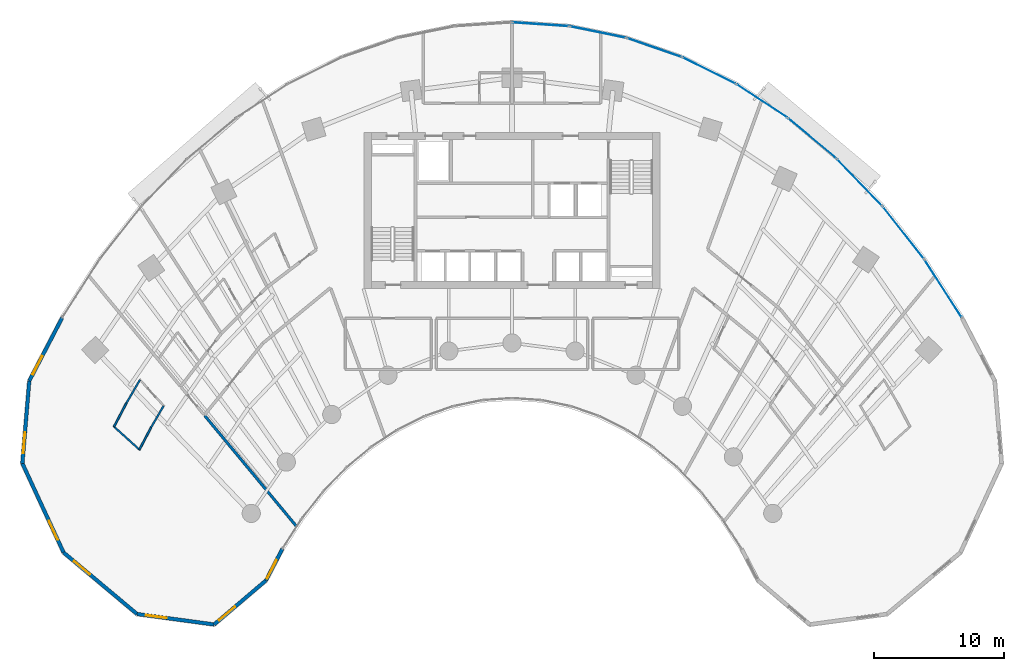
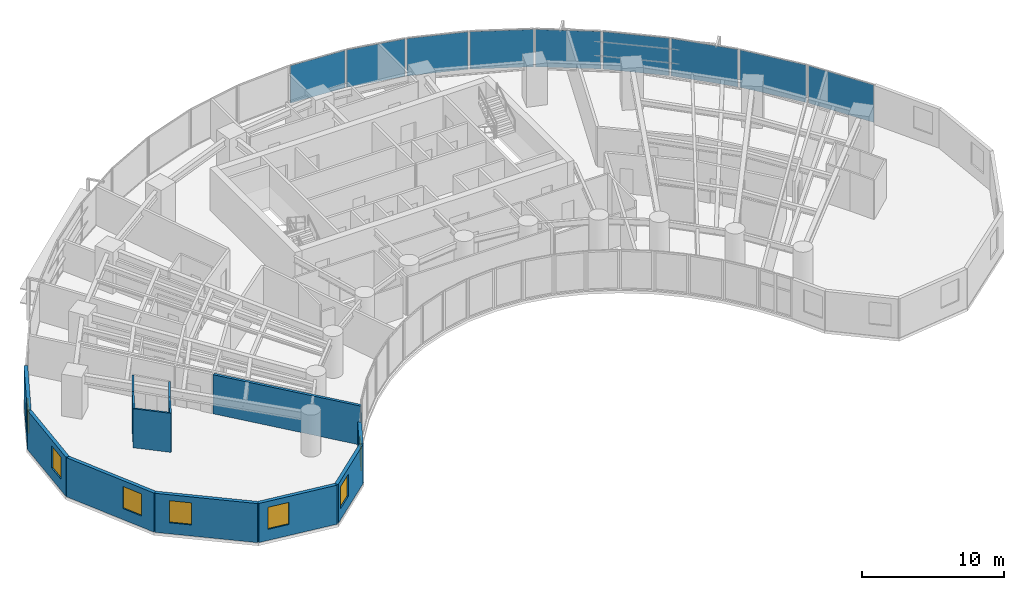
# One storey, part 10 of 17: 13 walls, 9 plates, 7 windows, 7 openings, 9 elements without a shape of their own.
"""IFC4 building model written with IfcOpenShell, lengths in metres."""

from ifc_helpers import new_model, si_unit, direction, frame, frame_2d, origin, origin_2d, place, context, subcontext, project, spatial, rectangle, extrude, source, transform, mapped, material, layer, layer_set, type_object, type_shapes, element, fill, aggregate, save


model = new_model("IFC4")

# Units and contexts
model_context = context("Model", 3, precision=1e-05, world=origin(), true_north=direction((0.0, 1.0)))
body_context = subcontext(model_context, "Body", "Model", "MODEL_VIEW")
ifc_project = project(units=[si_unit("LENGTHUNIT", "METRE"), si_unit("AREAUNIT", "SQUARE_METRE"), si_unit("VOLUMEUNIT", "CUBIC_METRE"), si_unit("PLANEANGLEUNIT", "RADIAN"), si_unit("MASSUNIT", "GRAM", prefix="KILO")], contexts=[model_context])

# Site, building, storey
site_placement = place(None, origin())
site = spatial("IfcSite", under=ifc_project, at=site_placement, CompositionType="ELEMENT")
building_placement = place(site_placement, origin())
building = spatial("IfcBuilding", under=site, at=building_placement, Name="Breltana Convention Tower", CompositionType="ELEMENT")
storey_placement = place(building_placement, frame((0.0, 0.0, 67.800048828125)))
storey = spatial("IfcBuildingStorey", under=building, at=storey_placement, Name="L15", CompositionType="ELEMENT", Elevation=67.800048828125)

# Curtain wall, plate
ifc_material_1 = material(Name="Aluminium Anodised Bronze Frame", Category="aluminium")
ifc_layer_1 = layer(ifc_material_1, 0.199951171875, Name="Aluminium Anodised Bronze Frame")
ifc_layer_set_1 = layer_set([ifc_layer_1], Name="Aluminium Anodised Bronze Frame")
curtain_wall_type = type_object("IfcCurtainWallType", Name="CW-SYS-2", PredefinedType="NOTDEFINED", material=ifc_layer_set_1)
curtain_wall_1_placement = place(storey_placement, origin())
curtain_wall_1 = element("IfcCurtainWall", 1, at=curtain_wall_1_placement, inside=storey, type_object=curtain_wall_type, Name="L15 outer double-skin inner glazing 17", PredefinedType="NOTDEFINED")
ifc_material_2 = material(Name="Glass Low-E Double Glazing", Category="glass")
ifc_layer_2 = layer(ifc_material_2, 0.031982421875, Name="Glass Low-E Double Glazing")
ifc_layer_set_2 = layer_set([ifc_layer_2], Name="Glass Low-E Double Glazing")
plate_type = type_object("IfcPlateType", Name="CWP-IGU-32", PredefinedType="CURTAIN_PANEL", material=ifc_layer_set_2)
shared_shape_1 = source(origin(), body_context, "Body", "SweptSolid", [
    extrude(rectangle(XDim=5.0546875, YDim=0.031982421875, at=origin_2d()), origin(), (0.0, 0.0, 1.0), 3.219970703125),
])
plate_1_placement = place(storey_placement, frame((78.038818359375, 64.504638671875, 0.06982421875), z_axis=(0.0, 0.0, 1.0), x_axis=(0.618153917633, -0.786057080698, 0.0)))
plate_1 = element("IfcPlate", 2, at=plate_1_placement, type_object=plate_type, Name="CW-02 panel 1.1", PredefinedType="CURTAIN_PANEL", context=body_context, shape_type="MappedRepresentation", body=[
    mapped(shared_shape_1, transform((0.0, 0.0, 0.0), scale=1.0)),
])
aggregate(curtain_wall_1, [plate_1])

curtain_wall_2_placement = place(storey_placement, origin())
curtain_wall_2 = element("IfcCurtainWall", 3, at=curtain_wall_2_placement, inside=storey, type_object=curtain_wall_type, Name="L15 outer double-skin inner glazing 16", PredefinedType="NOTDEFINED")
shared_shape_2 = source(origin(), body_context, "Body", "SweptSolid", [
    extrude(rectangle(XDim=4.901123046875, YDim=0.031982421875, at=origin_2d()), origin(), (0.0, 0.0, 1.0), 3.219970703125),
])
plate_2_placement = place(storey_placement, frame((74.682373046875, 68.359619140625, 0.06982421875), z_axis=(0.0, 0.0, 1.0), x_axis=(0.694610090106, -0.719386421003, 0.0)))
plate_2 = element("IfcPlate", 4, at=plate_2_placement, type_object=plate_type, Name="CW-02 panel 1.1", PredefinedType="CURTAIN_PANEL", context=body_context, shape_type="MappedRepresentation", body=[
    mapped(shared_shape_2, transform((0.0, 0.0, 0.0), scale=1.0)),
])
aggregate(curtain_wall_2, [plate_2])

curtain_wall_3_placement = place(storey_placement, origin())
curtain_wall_3 = element("IfcCurtainWall", 5, at=curtain_wall_3_placement, inside=storey, type_object=curtain_wall_type, Name="L15 outer double-skin inner glazing 15", PredefinedType="NOTDEFINED")
shared_shape_3 = source(origin(), body_context, "Body", "SweptSolid", [
    extrude(rectangle(XDim=4.7509765625, YDim=0.031982421875, at=origin_2d()), origin(), (0.0, 0.0, 1.0), 3.219970703125),
])
plate_3_placement = place(storey_placement, frame((71.0537109375, 71.7392578125, 0.06982421875), z_axis=(0.0, 0.0, 1.0), x_axis=(0.767941326958, -0.640520193554, 0.0)))
plate_3 = element("IfcPlate", 6, at=plate_3_placement, type_object=plate_type, Name="CW-02 panel 1.1", PredefinedType="CURTAIN_PANEL", context=body_context, shape_type="MappedRepresentation", body=[
    mapped(shared_shape_3, transform((0.0, 0.0, 0.0), scale=1.0)),
])
aggregate(curtain_wall_3, [plate_3])

curtain_wall_4_placement = place(storey_placement, origin())
curtain_wall_4 = element("IfcCurtainWall", 7, at=curtain_wall_4_placement, inside=storey, type_object=curtain_wall_type, Name="L15 outer double-skin inner glazing 14", PredefinedType="NOTDEFINED")
shared_shape_4 = source(origin(), body_context, "Body", "SweptSolid", [
    extrude(rectangle(XDim=4.610595703125, YDim=0.031982421875, at=origin_2d()), origin(), (0.0, 0.0, 1.0), 3.219970703125),
])
plate_4_placement = place(storey_placement, frame((67.18994140625, 74.609130859375, 0.06982421875), z_axis=(0.0, 0.0, 1.0), x_axis=(0.83596401875, -0.548784255746, 0.0)))
plate_4 = element("IfcPlate", 8, at=plate_4_placement, type_object=plate_type, Name="CW-02 panel 1.1", PredefinedType="CURTAIN_PANEL", context=body_context, shape_type="MappedRepresentation", body=[
    mapped(shared_shape_4, transform((0.0, 0.0, 0.0), scale=1.0)),
])
aggregate(curtain_wall_4, [plate_4])

curtain_wall_5_placement = place(storey_placement, origin())
curtain_wall_5 = element("IfcCurtainWall", 9, at=curtain_wall_5_placement, inside=storey, type_object=curtain_wall_type, Name="L15 outer double-skin inner glazing 13", PredefinedType="NOTDEFINED")
shared_shape_5 = source(origin(), body_context, "Body", "SweptSolid", [
    extrude(rectangle(XDim=4.487548828125, YDim=0.031982421875, at=origin_2d()), origin(), (0.0, 0.0, 1.0), 3.219970703125),
])
plate_5_placement = place(storey_placement, frame((63.13134765625, 76.940185546875, 0.06982421875), z_axis=(0.0, 0.0, 1.0), x_axis=(0.895973407804, -0.444107703726, 0.0)))
plate_5 = element("IfcPlate", 10, at=plate_5_placement, type_object=plate_type, Name="CW-02 panel 1.1", PredefinedType="CURTAIN_PANEL", context=body_context, shape_type="MappedRepresentation", body=[
    mapped(shared_shape_5, transform((0.0, 0.0, 0.0), scale=1.0)),
])
aggregate(curtain_wall_5, [plate_5])

curtain_wall_6_placement = place(storey_placement, origin())
curtain_wall_6 = element("IfcCurtainWall", 11, at=curtain_wall_6_placement, inside=storey, type_object=curtain_wall_type, Name="L15 outer double-skin inner glazing 12", PredefinedType="NOTDEFINED")
shared_shape_6 = source(origin(), body_context, "Body", "SweptSolid", [
    extrude(rectangle(XDim=4.388427734375, YDim=0.031982421875, at=origin_2d()), origin(), (0.0, 0.0, 1.0), 3.219970703125),
])
plate_6_placement = place(storey_placement, frame((58.9189453125, 78.709228515625, 0.06982421875), z_axis=(0.0, 0.0, 1.0), x_axis=(0.944876012163, -0.32742834581, 0.0)))
plate_6 = element("IfcPlate", 12, at=plate_6_placement, type_object=plate_type, Name="CW-02 panel 1.1", PredefinedType="CURTAIN_PANEL", context=body_context, shape_type="MappedRepresentation", body=[
    mapped(shared_shape_6, transform((0.0, 0.0, 0.0), scale=1.0)),
])
aggregate(curtain_wall_6, [plate_6])

curtain_wall_7_placement = place(storey_placement, origin())
curtain_wall_7 = element("IfcCurtainWall", 13, at=curtain_wall_7_placement, inside=storey, type_object=curtain_wall_type, Name="L15 outer double-skin inner glazing 11", PredefinedType="NOTDEFINED")
shared_shape_7 = source(origin(), body_context, "Body", "SweptSolid", [
    extrude(rectangle(XDim=4.318359375, YDim=0.031982421875, at=origin_2d()), origin(), (0.0, 0.0, 1.0), 3.219970703125),
])
plate_7_placement = place(storey_placement, frame((54.595703125, 79.898193359375, 0.06982421875), z_axis=(0.0, 0.0, 1.0), x_axis=(0.979614925743, -0.200884537139, 0.0)))
plate_7 = element("IfcPlate", 14, at=plate_7_placement, type_object=plate_type, Name="CW-02 panel 1.1", PredefinedType="CURTAIN_PANEL", context=body_context, shape_type="MappedRepresentation", body=[
    mapped(shared_shape_7, transform((0.0, 0.0, 0.0), scale=1.0)),
])
aggregate(curtain_wall_7, [plate_7])

curtain_wall_8_placement = place(storey_placement, origin())
curtain_wall_8 = element("IfcCurtainWall", 15, at=curtain_wall_8_placement, inside=storey, type_object=curtain_wall_type, Name="L15 outer double-skin inner glazing 10", PredefinedType="NOTDEFINED")
shared_shape_8 = source(origin(), body_context, "Body", "SweptSolid", [
    extrude(rectangle(XDim=4.2822265625, YDim=0.031982421875, at=origin_2d()), origin(), (0.0, 0.0, 1.0), 3.219970703125),
])
plate_8_placement = place(storey_placement, frame((50.2060546875, 80.495849609375, 0.06982421875), z_axis=(0.0, 0.0, 1.0), x_axis=(0.997703982282, -0.067725650529, 0.0)))
plate_8 = element("IfcPlate", 16, at=plate_8_placement, type_object=plate_type, Name="CW-02 panel 1.1", PredefinedType="CURTAIN_PANEL", context=body_context, shape_type="MappedRepresentation", body=[
    mapped(shared_shape_8, transform((0.0, 0.0, 0.0), scale=1.0)),
])
aggregate(curtain_wall_8, [plate_8])

curtain_wall_9_placement = place(storey_placement, origin())
curtain_wall_9 = element("IfcCurtainWall", 17, at=curtain_wall_9_placement, inside=storey, type_object=curtain_wall_type, Name="L15 outer double-skin inner glazing 18", PredefinedType="NOTDEFINED")
shared_shape_9 = source(origin(), body_context, "Body", "SweptSolid", [
    extrude(rectangle(XDim=5.20556640625, YDim=0.031982421875, at=origin_2d()), origin(), (0.0, 0.0, 1.0), 3.219970703125),
])
plate_9_placement = place(storey_placement, frame((81.088134765625, 60.2138671875, 0.06982421875), z_axis=(0.0, 0.0, 1.0), x_axis=(0.540180724109, -0.841549039154, 0.0)))
plate_9 = element("IfcPlate", 18, at=plate_9_placement, type_object=plate_type, Name="CW-02 panel 1.1", PredefinedType="CURTAIN_PANEL", context=body_context, shape_type="MappedRepresentation", body=[
    mapped(shared_shape_9, transform((0.0, 0.0, 0.0), scale=1.0)),
])
aggregate(curtain_wall_9, [plate_9])

# Wall, opening, window
ifc_material_3 = material(Name="Limestone Buff Insulated Wall", Category="masonry")
ifc_layer_3 = layer(ifc_material_3, 0.280029296875, Name="Limestone Buff Insulated Wall")
ifc_layer_set_3 = layer_set([ifc_layer_3], Name="Limestone Buff Insulated Wall")
wall_type_1 = type_object("IfcWallType", Name="WL-EXT-NOSE-280", PredefinedType="SOLIDWALL", material=ifc_layer_set_3)
shared_shape_10 = source(origin(), body_context, "Body", "SweptSolid", [
    extrude(rectangle(XDim=6.3525390625, YDim=0.280029296875, at=frame_2d((3.17626953125, 0.0))), origin(), (0.0, 0.0, 1.0), 3.35986328125),
])
wall_1_placement = place(storey_placement, frame((10.417724609375, 46.79150390625, 0.0), z_axis=(0.0, 0.0, 1.0), x_axis=(0.083319001377, 0.996522926986, 0.0)))
wall_1 = element("IfcWall", 19, at=wall_1_placement, inside=storey, type_object=wall_type_1, Name="L15 curved limestone nose wall W6", PredefinedType="SOLIDWALL", context=body_context, shape_type="MappedRepresentation", body=[
    mapped(shared_shape_10, transform((0.0, 0.0, 0.0), scale=1.0)),
])
opening_1_placement = place(wall_1_placement, frame((0.7880859375, 0.0, 0.949951171875)))
opening_1 = element("IfcOpeningElement", 20, at=opening_1_placement, cuts=wall_1, Name="Opening W-04", PredefinedType="OPENING", context=body_context, shape_type="SweptSolid", body=[
    extrude(rectangle(XDim=1.60009765625, YDim=1.89990234375, at=frame_2d((0.800048828125, 0.949951171875))), frame((0.0, 0.14990234375, 0.0), z_axis=(0.0, -1.0, 0.0), x_axis=(1.0, 0.0, 0.0)), (0.0, 0.0, 1.0), 0.300048828125),
])
ifc_material_4 = material(Name="Glass Low-E Insulated Window", Category="glass")
window_type = type_object("IfcWindowType", Name="WN-NOSE-1600X1900", PartitioningType="SINGLE_PANEL", PredefinedType="WINDOW", material=ifc_material_4)
shared_shape_11 = source(origin(), body_context, "Body", "SweptSolid", [
    extrude(rectangle(XDim=1.60009765625, YDim=1.89990234375, at=frame_2d((0.800048828125, 0.949951171875))), frame((0.0, 0.030029296875, 0.0), z_axis=(0.0, -1.0, 0.0), x_axis=(1.0, 0.0, 0.0)), (0.0, 0.0, 1.0), 0.06005859375),
])
type_shapes(window_type, [shared_shape_11])
window_1_placement = place(opening_1_placement, origin())
window_1 = element("IfcWindow", 21, at=window_1_placement, inside=storey, type_object=window_type, Name="L15 nose window W6", OverallHeight=1.89990234375, OverallWidth=1.60009765625, PartitioningType="SINGLE_PANEL", PredefinedType="WINDOW", context=body_context, shape_type="MappedRepresentation", body=[
    mapped(shared_shape_11, transform((0.0, 0.0, 0.0), scale=1.0)),
])
fill(opening_1, window_1)

shared_shape_12 = source(origin(), body_context, "Body", "SweptSolid", [
    extrude(rectangle(XDim=7.536376953125, YDim=0.280029296875, at=frame_2d((3.76806640625, 0.0))), origin(), (0.0, 0.0, 1.0), 3.35986328125),
])
wall_2_placement = place(storey_placement, frame((13.580322265625, 39.950927734375, 0.0), z_axis=(0.0, 0.0, 1.0), x_axis=(-0.41964973873, 0.907686122393, 0.0)))
wall_2 = element("IfcWall", 22, at=wall_2_placement, inside=storey, type_object=wall_type_1, Name="L15 curved limestone nose wall W5", PredefinedType="SOLIDWALL", context=body_context, shape_type="MappedRepresentation", body=[
    mapped(shared_shape_12, transform((0.0, 0.0, 0.0), scale=1.0)),
])
opening_2_placement = place(wall_2_placement, frame((1.083984375, 0.0, 0.949951171875)))
opening_2 = element("IfcOpeningElement", 23, at=opening_2_placement, cuts=wall_2, Name="Opening W-04", PredefinedType="OPENING", context=body_context, shape_type="SweptSolid", body=[
    extrude(rectangle(XDim=1.60009765625, YDim=1.89990234375, at=frame_2d((0.800048828125, 0.949951171875))), frame((0.0, 0.14990234375, 0.0), z_axis=(0.0, -1.0, 0.0), x_axis=(1.0, 0.0, 0.0)), (0.0, 0.0, 1.0), 0.300048828125),
])
window_2_placement = place(opening_2_placement, origin())
window_2 = element("IfcWindow", 24, at=window_2_placement, inside=storey, type_object=window_type, Name="L15 nose window W5", OverallHeight=1.89990234375, OverallWidth=1.60009765625, PartitioningType="SINGLE_PANEL", PredefinedType="WINDOW", context=body_context, shape_type="MappedRepresentation", body=[
    mapped(shared_shape_11, transform((0.0, 0.0, 0.0), scale=1.0)),
])
fill(opening_2, window_2)

shared_shape_13 = source(origin(), body_context, "Body", "SweptSolid", [
    extrude(rectangle(XDim=7.35888671875, YDim=0.280029296875, at=frame_2d((3.679443359375, 0.0))), origin(), (0.0, 0.0, 1.0), 3.35986328125),
])
wall_3_placement = place(storey_placement, frame((19.22265625, 35.226806640625, 0.0), z_axis=(0.0, 0.0, 1.0), x_axis=(-0.766737165543, 0.641961150675, 0.0)))
wall_3 = element("IfcWall", 25, at=wall_3_placement, inside=storey, type_object=wall_type_1, Name="L15 curved limestone nose wall W4", PredefinedType="SOLIDWALL", context=body_context, shape_type="MappedRepresentation", body=[
    mapped(shared_shape_13, transform((0.0, 0.0, 0.0), scale=1.0)),
])
opening_3_placement = place(wall_3_placement, frame((4.71923828125, 0.0, 0.949951171875)))
opening_3 = element("IfcOpeningElement", 26, at=opening_3_placement, cuts=wall_3, Name="Opening W-04", PredefinedType="OPENING", context=body_context, shape_type="SweptSolid", body=[
    extrude(rectangle(XDim=1.60009765625, YDim=1.89990234375, at=frame_2d((0.800048828125, 0.949951171875))), frame((0.0, 0.14990234375, 0.0), z_axis=(0.0, -1.0, 0.0), x_axis=(1.0, 0.0, 0.0)), (0.0, 0.0, 1.0), 0.300048828125),
])
window_3_placement = place(opening_3_placement, origin())
window_3 = element("IfcWindow", 27, at=window_3_placement, inside=storey, type_object=window_type, Name="L15 nose window W4", OverallHeight=1.89990234375, OverallWidth=1.60009765625, PartitioningType="SINGLE_PANEL", PredefinedType="WINDOW", context=body_context, shape_type="MappedRepresentation", body=[
    mapped(shared_shape_11, transform((0.0, 0.0, 0.0), scale=1.0)),
])
fill(opening_3, window_3)

shared_shape_14 = source(origin(), body_context, "Body", "SweptSolid", [
    extrude(rectangle(XDim=5.96728515625, YDim=0.280029296875, at=frame_2d((2.983642578125, 0.0))), origin(), (0.0, 0.0, 1.0), 3.35986328125),
])
wall_4_placement = place(storey_placement, frame((25.1357421875, 34.4248046875, 0.0), z_axis=(0.0, 0.0, 1.0), x_axis=(-0.990927009341, 0.134401124099, 0.0)))
wall_4 = element("IfcWall", 28, at=wall_4_placement, inside=storey, type_object=wall_type_1, Name="L15 curved limestone nose wall W3", PredefinedType="SOLIDWALL", context=body_context, shape_type="MappedRepresentation", body=[
    mapped(shared_shape_14, transform((0.0, 0.0, 0.0), scale=1.0)),
])
opening_4_placement = place(wall_4_placement, frame((3.675537109375, 0.0, 0.949951171875)))
opening_4 = element("IfcOpeningElement", 29, at=opening_4_placement, cuts=wall_4, Name="Opening W-04", PredefinedType="OPENING", context=body_context, shape_type="SweptSolid", body=[
    extrude(rectangle(XDim=1.60009765625, YDim=1.89990234375, at=frame_2d((0.800048828125, 0.949951171875))), frame((0.0, 0.14990234375, 0.0), z_axis=(0.0, -1.0, 0.0), x_axis=(1.0, 0.0, 0.0)), (0.0, 0.0, 1.0), 0.300048828125),
])
window_4_placement = place(opening_4_placement, origin())
window_4 = element("IfcWindow", 30, at=window_4_placement, inside=storey, type_object=window_type, Name="L15 nose window W3", OverallHeight=1.89990234375, OverallWidth=1.60009765625, PartitioningType="SINGLE_PANEL", PredefinedType="WINDOW", context=body_context, shape_type="MappedRepresentation", body=[
    mapped(shared_shape_11, transform((0.0, 0.0, 0.0), scale=1.0)),
])
fill(opening_4, window_4)

shared_shape_15 = source(origin(), body_context, "Body", "SweptSolid", [
    extrude(rectangle(XDim=5.222412109375, YDim=0.280029296875, at=frame_2d((2.611328125, 0.0))), origin(), (0.0, 0.0, 1.0), 3.35986328125),
])
wall_5_placement = place(storey_placement, frame((29.11474609375, 37.807373046875, 0.0), z_axis=(0.0, 0.0, 1.0), x_axis=(-0.761900099546, -0.647694556339, 0.0)))
wall_5 = element("IfcWall", 31, at=wall_5_placement, inside=storey, type_object=wall_type_1, Name="L15 curved limestone nose wall W2", PredefinedType="SOLIDWALL", context=body_context, shape_type="MappedRepresentation", body=[
    mapped(shared_shape_15, transform((0.0, 0.0, 0.0), scale=1.0)),
])
opening_5_placement = place(wall_5_placement, frame((3.11669921875, 0.0, 0.949951171875)))
opening_5 = element("IfcOpeningElement", 32, at=opening_5_placement, cuts=wall_5, Name="Opening W-04", PredefinedType="OPENING", context=body_context, shape_type="SweptSolid", body=[
    extrude(rectangle(XDim=1.60009765625, YDim=1.89990234375, at=frame_2d((0.800048828125, 0.949951171875))), frame((0.0, 0.14990234375, 0.0), z_axis=(0.0, -1.0, 0.0), x_axis=(1.0, 0.0, 0.0)), (0.0, 0.0, 1.0), 0.300048828125),
])
window_5_placement = place(opening_5_placement, origin())
window_5 = element("IfcWindow", 33, at=window_5_placement, inside=storey, type_object=window_type, Name="L15 nose window W2", OverallHeight=1.89990234375, OverallWidth=1.60009765625, PartitioningType="SINGLE_PANEL", PredefinedType="WINDOW", context=body_context, shape_type="MappedRepresentation", body=[
    mapped(shared_shape_11, transform((0.0, 0.0, 0.0), scale=1.0)),
])
fill(opening_5, window_5)

shared_shape_16 = source(origin(), body_context, "Body", "SweptSolid", [
    extrude(rectangle(XDim=2.7353515625, YDim=0.280029296875, at=frame_2d((1.36767578125, 0.0))), origin(), (0.0, 0.0, 1.0), 3.35986328125),
])
wall_6_placement = place(storey_placement, frame((30.3779296875, 40.233642578125, 0.0), z_axis=(0.0, 0.0, 1.0), x_axis=(-0.46179107292, -0.886988728774, 0.0)))
wall_6 = element("IfcWall", 34, at=wall_6_placement, inside=storey, type_object=wall_type_1, Name="L15 curved limestone nose wall W1", PredefinedType="SOLIDWALL", context=body_context, shape_type="MappedRepresentation", body=[
    mapped(shared_shape_16, transform((0.0, 0.0, 0.0), scale=1.0)),
])
opening_6_placement = place(wall_6_placement, frame((0.9755859375, 0.0, 0.949951171875)))
opening_6 = element("IfcOpeningElement", 35, at=opening_6_placement, cuts=wall_6, Name="Opening W-04", PredefinedType="OPENING", context=body_context, shape_type="SweptSolid", body=[
    extrude(rectangle(XDim=1.60009765625, YDim=1.89990234375, at=frame_2d((0.800048828125, 0.949951171875))), frame((0.0, 0.14990234375, 0.0), z_axis=(0.0, -1.0, 0.0), x_axis=(1.0, 0.0, 0.0)), (0.0, 0.0, 1.0), 0.300048828125),
])
window_6_placement = place(opening_6_placement, origin())
window_6 = element("IfcWindow", 36, at=window_6_placement, inside=storey, type_object=window_type, Name="L15 nose window W1", OverallHeight=1.89990234375, OverallWidth=1.60009765625, PartitioningType="SINGLE_PANEL", PredefinedType="WINDOW", context=body_context, shape_type="MappedRepresentation", body=[
    mapped(shared_shape_11, transform((0.0, 0.0, 0.0), scale=1.0)),
])
fill(opening_6, window_6)

shared_shape_17 = source(origin(), body_context, "Body", "SweptSolid", [
    extrude(rectangle(XDim=5.45947265625, YDim=0.280029296875, at=frame_2d((2.729736328125, 0.0))), origin(), (0.0, 0.0, 1.0), 3.35986328125),
])
wall_7_placement = place(storey_placement, frame((10.947021484375, 53.1220703125, 0.0), z_axis=(0.0, 0.0, 1.0), x_axis=(0.461768054321, 0.887000712518, 0.0)))
wall_7 = element("IfcWall", 37, at=wall_7_placement, inside=storey, type_object=wall_type_1, Name="L15 curved limestone nose wall W7", PredefinedType="SOLIDWALL", context=body_context, shape_type="MappedRepresentation", body=[
    mapped(shared_shape_17, transform((0.0, 0.0, 0.0), scale=1.0)),
])
opening_7_placement = place(wall_7_placement, frame((0.56494140625, 0.0, 0.949951171875)))
opening_7 = element("IfcOpeningElement", 38, at=opening_7_placement, cuts=wall_7, Name="Opening W-04", PredefinedType="OPENING", context=body_context, shape_type="SweptSolid", body=[
    extrude(rectangle(XDim=1.60009765625, YDim=1.89990234375, at=frame_2d((0.800048828125, 0.949951171875))), frame((0.0, 0.14990234375, 0.0), z_axis=(0.0, -1.0, 0.0), x_axis=(1.0, 0.0, 0.0)), (0.0, 0.0, 1.0), 0.300048828125),
])
window_7_placement = place(opening_7_placement, origin())
window_7 = element("IfcWindow", 39, at=window_7_placement, inside=storey, type_object=window_type, Name="L15 nose window W7", OverallHeight=1.89990234375, OverallWidth=1.60009765625, PartitioningType="SINGLE_PANEL", PredefinedType="WINDOW", context=body_context, shape_type="MappedRepresentation", body=[
    mapped(shared_shape_11, transform((0.0, 0.0, 0.0), scale=1.0)),
])
fill(opening_7, window_7)

# Walls
ifc_material_5 = material(Name="Moisture-Resistant En-Suite Partition")
ifc_layer_4 = layer(ifc_material_5, 0.139892578125, Name="Moisture-Resistant En-Suite Partition")
ifc_layer_set_4 = layer_set([ifc_layer_4], Name="Moisture-Resistant En-Suite Partition")
wall_type_2 = type_object("IfcWallType", Name="WL-WET-150", PredefinedType="PARTITIONING", material=ifc_layer_set_4)
shared_shape_18 = source(origin(), body_context, "Body", "SweptSolid", [
    extrude(rectangle(XDim=2.738037109375, YDim=0.139892578125, at=frame_2d((1.369140625, 0.0))), origin(), (0.0, 0.0, 1.0), 3.35986328125),
])
wall_8_placement = place(storey_placement, frame((19.439697265625, 47.81396484375, 0.0), z_axis=(0.0, 0.0, 1.0), x_axis=(-0.741873676582, 0.670539669218, 0.0)))
element("IfcWall", 40, at=wall_8_placement, inside=storey, type_object=wall_type_2, Name="L15 interior partition W-L15-CSENS-W-F", PredefinedType="PARTITIONING", context=body_context, shape_type="MappedRepresentation", body=[
    mapped(shared_shape_18, transform((0.0, 0.0, 0.0), scale=1.0)),
])
shared_shape_19 = source(origin(), body_context, "Body", "SweptSolid", [
    extrude(rectangle(XDim=1.936279296875, YDim=0.139892578125, at=frame_2d((0.96826171875, 0.0))), origin(), (0.0, 0.0, 1.0), 3.35986328125),
])
wall_9_placement = place(storey_placement, frame((19.398193359375, 47.8515625, 0.0), z_axis=(0.0, 0.0, 1.0), x_axis=(0.467174971862, 0.884164886017, 0.0)))
element("IfcWall", 41, at=wall_9_placement, inside=storey, type_object=wall_type_2, Name="L15 interior partition W-L15-CSENS-W-B1A", PredefinedType="PARTITIONING", context=body_context, shape_type="MappedRepresentation", body=[
    mapped(shared_shape_19, transform((0.0, 0.0, 0.0), scale=1.0)),
])
shared_shape_20 = source(origin(), body_context, "Body", "SweptSolid", [
    extrude(rectangle(XDim=2.068115234375, YDim=0.139892578125, at=frame_2d((1.0341796875, 0.0))), origin(), (0.0, 0.0, 1.0), 3.35986328125),
])
wall_10_placement = place(storey_placement, frame((17.449951171875, 49.6123046875, 0.0), z_axis=(0.0, 0.0, 1.0), x_axis=(0.467215057643, 0.884143704333, 0.0)))
element("IfcWall", 42, at=wall_10_placement, inside=storey, type_object=wall_type_2, Name="L15 interior partition W-L15-CSENS-W-B2A", PredefinedType="PARTITIONING", context=body_context, shape_type="MappedRepresentation", body=[
    mapped(shared_shape_20, transform((0.0, 0.0, 0.0), scale=1.0)),
])
shared_shape_21 = source(origin(), body_context, "Body", "SweptSolid", [
    extrude(rectangle(XDim=1.914306640625, YDim=0.139892578125, at=frame_2d((0.95703125, 0.0))), origin(), (0.0, 0.0, 1.0), 3.35986328125),
])
wall_11_placement = place(storey_placement, frame((20.302734375, 49.5634765625, 0.0), z_axis=(0.0, 0.0, 1.0), x_axis=(0.502347790612, 0.864665656347, 0.0)))
element("IfcWall", 43, at=wall_11_placement, inside=storey, type_object=wall_type_2, Name="L15 interior partition W-L15-CSENS-W-B1B", PredefinedType="PARTITIONING", context=body_context, shape_type="MappedRepresentation", body=[
    mapped(shared_shape_21, transform((0.0, 0.0, 0.0), scale=1.0)),
])
shared_shape_22 = source(origin(), body_context, "Body", "SweptSolid", [
    extrude(rectangle(XDim=2.044677734375, YDim=0.139892578125, at=frame_2d((1.0224609375, 0.0))), origin(), (0.0, 0.0, 1.0), 3.35986328125),
])
wall_12_placement = place(storey_placement, frame((18.416259765625, 51.44091796875, 0.0), z_axis=(0.0, 0.0, 1.0), x_axis=(0.5023112139, 0.864686905411, 0.0)))
element("IfcWall", 44, at=wall_12_placement, inside=storey, type_object=wall_type_2, Name="L15 interior partition W-L15-CSENS-W-B2B", PredefinedType="PARTITIONING", context=body_context, shape_type="MappedRepresentation", body=[
    mapped(shared_shape_22, transform((0.0, 0.0, 0.0), scale=1.0)),
])
ifc_material_6 = material(Name="Autoclaved Aerated Masonry Blockwork", Category="masonry")
ifc_layer_5 = layer(ifc_material_6, 0.2099609375, Name="Autoclaved Aerated Masonry Blockwork")
ifc_layer_set_5 = layer_set([ifc_layer_5], Name="Autoclaved Aerated Masonry Blockwork")
wall_type_3 = type_object("IfcWallType", Name="WL-PART-200", PredefinedType="PARTITIONING", material=ifc_layer_set_5)
shared_shape_23 = source(origin(), body_context, "Body", "SweptSolid", [
    extrude(rectangle(XDim=11.05322265625, YDim=0.2099609375, at=frame_2d((5.526611328125, 0.0))), origin(), (0.0, 0.0, 1.0), 3.35986328125),
])
wall_13_placement = place(storey_placement, frame((31.466064453125, 41.948974609375, 0.0), z_axis=(0.0, 0.0, 1.0), x_axis=(-0.638131235571, 0.769927611005, 0.0)))
element("IfcWall", 45, at=wall_13_placement, inside=storey, type_object=wall_type_3, Name="L15 interior partition W-L15-H3IW-RA", PredefinedType="PARTITIONING", context=body_context, shape_type="MappedRepresentation", body=[
    mapped(shared_shape_23, transform((0.0, 0.0, 0.0), scale=1.0)),
])

save(model, "model.ifc")
